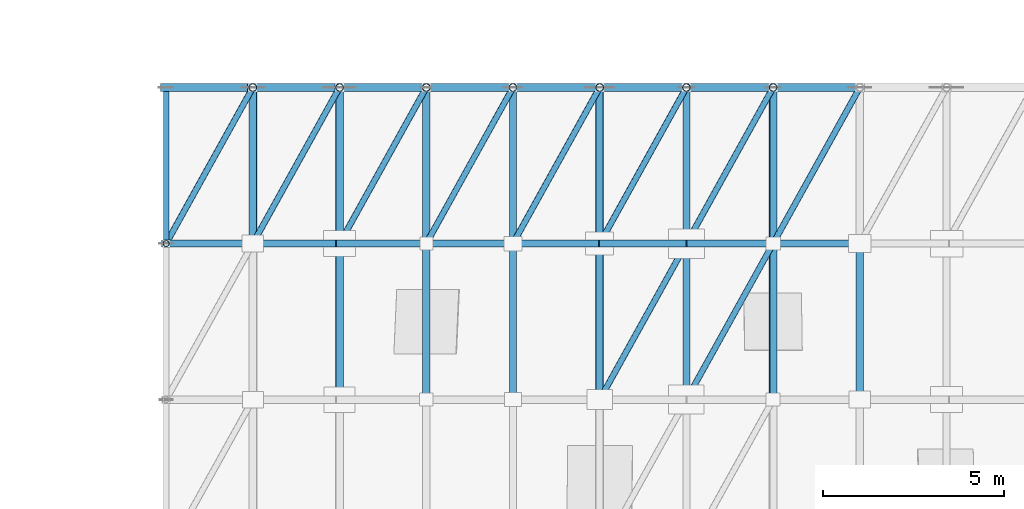
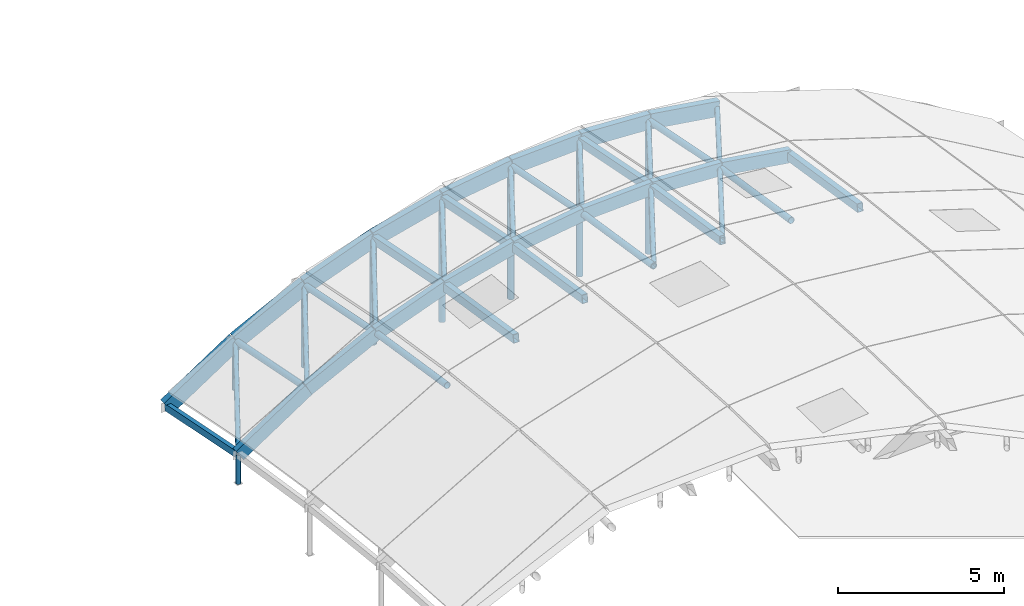
# One storey, part 18 of 35: 49 members.
"""IFC4 building model written with IfcOpenShell, lengths in metres."""

from ifc_helpers import new_model, si_unit, direction, frame, origin, origin_2d, place, context, subcontext, project, spatial, rectangle, hollow_rectangle, hollow_circle, extrude, material, material_profile, profile_set, type_object, element, save


model = new_model("IFC4")

# Units and contexts
model_context = context("Model", 3, precision=1e-05, world=origin(), true_north=direction((0.0, 1.0)))
body_context = subcontext(model_context, "Body", "Model", "MODEL_VIEW")
ifc_project = project(units=[si_unit("LENGTHUNIT", "METRE"), si_unit("AREAUNIT", "SQUARE_METRE"), si_unit("VOLUMEUNIT", "CUBIC_METRE"), si_unit("PLANEANGLEUNIT", "RADIAN"), si_unit("MASSUNIT", "GRAM", prefix="KILO")], contexts=[model_context])

# Site, building, storey
site_placement = place(None, origin())
site = spatial("IfcSite", under=ifc_project, at=site_placement, CompositionType="ELEMENT")
building_placement = place(site_placement, origin())
building = spatial("IfcBuilding", under=site, at=building_placement, Name="Zarrinpeak Specialist Clinic", CompositionType="ELEMENT")
storey_placement = place(building_placement, frame((0.0, 0.0, 31.60009765625)))
storey = spatial("IfcBuildingStorey", under=building, at=storey_placement, Name="RF", CompositionType="ELEMENT", Elevation=31.60009765625)

# Members
ifc_material_1 = material(Name="Steel S355", Category="steel")
ifc_material_profile_1 = material_profile(ifc_material_1, hollow_circle(Radius=0.084228515625, WallThickness=0.008056640625, at=origin_2d()), Name="CHS 168.3x8.0")
ifc_profile_set_1 = profile_set([ifc_material_profile_1], Name="Steel S355")
member_type_1 = type_object("IfcMemberType", Name="MB-BR168", PredefinedType="BRACE", material=ifc_profile_set_1)
member_1_placement = place(storey_placement, frame((93.60009765625, 67.679931640625, -16.736083984375), z_axis=(0.480538844038, 0.865018804197, 0.144308307996), x_axis=(-0.874168927292, 0.485621958479, 0.0)))
element("IfcMember", 1, at=member_1_placement, inside=storey, type_object=member_type_1, Name="V3 Gridshell Diagonal Brace GS-DIAG-010", PredefinedType="BRACE", context=body_context, shape_type="SweptSolid", body=[
    extrude(hollow_circle(Radius=0.084228515625, WallThickness=0.008056640625, at=origin_2d()), origin(), (0.0, 0.0, 1.0), 4.994140625),
])
member_2_placement = place(storey_placement, frame((96.0, 67.679931640625, -15.151611328125), z_axis=(0.484423074732, 0.872010814586, 0.070224097812), x_axis=(-0.874168927292, 0.485621958479, 0.0)))
element("IfcMember", 2, at=member_2_placement, inside=storey, type_object=member_type_1, Name="V3 Gridshell Diagonal Brace GS-DIAG-014", PredefinedType="BRACE", context=body_context, shape_type="SweptSolid", body=[
    extrude(hollow_circle(Radius=0.084228515625, WallThickness=0.008056640625, at=origin_2d()), origin(), (0.0, 0.0, 1.0), 4.9541015625),
])
member_3_placement = place(storey_placement, frame((98.39990234375, 67.679931640625, -13.939697265625), z_axis=(0.485648093946, 0.874127049371, 0.00691595292), x_axis=(-0.874147955046, 0.485659708735, 0.0)))
element("IfcMember", 3, at=member_3_placement, inside=storey, type_object=member_type_1, Name="V3 Gridshell Diagonal Brace GS-DIAG-018", PredefinedType="BRACE", context=body_context, shape_type="SweptSolid", body=[
    extrude(hollow_circle(Radius=0.084228515625, WallThickness=0.008056640625, at=origin_2d()), origin(), (0.0, 0.0, 1.0), 4.942138671875),
])
member_4_placement = place(storey_placement, frame((100.800048828125, 67.679931640625, -13.04150390625), z_axis=(0.485033983383, 0.873110512305, -0.049194189362), x_axis=(-0.874168927292, 0.485621958479, 0.0)))
element("IfcMember", 4, at=member_4_placement, inside=storey, type_object=member_type_1, Name="V3 Gridshell Diagonal Brace GS-DIAG-022", PredefinedType="BRACE", context=body_context, shape_type="SweptSolid", body=[
    extrude(hollow_circle(Radius=0.084228515625, WallThickness=0.008056640625, at=origin_2d()), origin(), (0.0, 0.0, 1.0), 4.947998046875),
])
member_5_placement = place(storey_placement, frame((103.199951171875, 67.679931640625, -12.4208984375), z_axis=(0.483197810944, 0.869716739361, -0.100561765964), x_axis=(-0.874147955046, 0.485659708735, 0.0)))
element("IfcMember", 5, at=member_5_placement, inside=storey, type_object=member_type_1, Name="V3 Gridshell Diagonal Brace GS-DIAG-026", PredefinedType="BRACE", context=body_context, shape_type="SweptSolid", body=[
    extrude(hollow_circle(Radius=0.084228515625, WallThickness=0.008056640625, at=origin_2d()), origin(), (0.0, 0.0, 1.0), 4.96728515625),
])
member_6_placement = place(storey_placement, frame((105.60009765625, 63.360107421875, -11.38427734375), z_axis=(0.482643813636, 0.868758864544, -0.110963887977), x_axis=(-0.874157276122, 0.485642931179, 0.0)))
element("IfcMember", 6, at=member_6_placement, inside=storey, type_object=member_type_1, Name="V3 Gridshell Diagonal Brace GS-DIAG-035", PredefinedType="BRACE", context=body_context, shape_type="SweptSolid", body=[
    extrude(hollow_circle(Radius=0.084228515625, WallThickness=0.008056640625, at=origin_2d()), origin(), (0.0, 0.0, 1.0), 4.972412109375),
])
member_7_placement = place(storey_placement, frame((105.60009765625, 67.679931640625, -12.056396484375), z_axis=(0.480215440931, 0.864436645704, -0.148803279051), x_axis=(-0.874168927292, 0.485621958479, 0.0)))
element("IfcMember", 7, at=member_7_placement, inside=storey, type_object=member_type_1, Name="V3 Gridshell Diagonal Brace GS-DIAG-036", PredefinedType="BRACE", context=body_context, shape_type="SweptSolid", body=[
    extrude(hollow_circle(Radius=0.084228515625, WallThickness=0.008056640625, at=origin_2d()), origin(), (0.0, 0.0, 1.0), 4.99755859375),
])
member_8_placement = place(storey_placement, frame((108.0, 63.360107421875, -11.26416015625), z_axis=(0.479519862366, 0.86313575226, -0.158295213975), x_axis=(-0.874157276122, 0.485642931179, 0.0)))
element("IfcMember", 8, at=member_8_placement, inside=storey, type_object=member_type_1, Name="V3 Gridshell Diagonal Brace GS-DIAG-045", PredefinedType="BRACE", context=body_context, shape_type="SweptSolid", body=[
    extrude(hollow_circle(Radius=0.084228515625, WallThickness=0.008056640625, at=origin_2d()), origin(), (0.0, 0.0, 1.0), 5.0048828125),
])
member_9_placement = place(storey_placement, frame((108.0, 67.679931640625, -11.93603515625), z_axis=(0.476265643705, 0.857326608887, -0.19535127929), x_axis=(-0.874168927292, 0.485621958479, 0.0)))
element("IfcMember", 9, at=member_9_placement, inside=storey, type_object=member_type_1, Name="V3 Gridshell Diagonal Brace GS-DIAG-046", PredefinedType="BRACE", context=body_context, shape_type="SweptSolid", body=[
    extrude(hollow_circle(Radius=0.084228515625, WallThickness=0.008056640625, at=origin_2d()), origin(), (0.0, 0.0, 1.0), 5.0390625),
])
member_10_placement = place(storey_placement, frame((110.39990234375, 67.679931640625, -12.056396484375), z_axis=(0.471315620501, 0.848329763479, -0.241243027399), x_axis=(-0.874147955046, 0.485659708735, 0.0)))
element("IfcMember", 10, at=member_10_placement, inside=storey, type_object=member_type_1, Name="V3 Gridshell Diagonal Brace GS-DIAG-050", PredefinedType="BRACE", context=body_context, shape_type="SweptSolid", body=[
    extrude(hollow_circle(Radius=0.084228515625, WallThickness=0.008056640625, at=origin_2d()), origin(), (0.0, 0.0, 1.0), 5.092529296875),
])
ifc_material_profile_2 = material_profile(ifc_material_1, hollow_circle(Radius=0.109619140625, WallThickness=0.010009765625, at=origin_2d()), Name="CHS 219.1x10.0")
ifc_profile_set_2 = profile_set([ifc_material_profile_2], Name="Steel S355")
member_type_2 = type_object("IfcMemberType", Name="MB-GS-CH219", PredefinedType="USERDEFINED", material=ifc_profile_set_2)
member_11_placement = place(storey_placement, frame((96.0, 67.679931640625, -15.151611328125), z_axis=(0.0, 0.980591331223, -0.19606284995), x_axis=(-1.0, 0.0, 0.0)))
element("IfcMember", 11, at=member_11_placement, inside=storey, type_object=member_type_2, Name="V3 Translational Gridshell Vault Steel Chord I01-J09", ObjectType="ARCH_SEGMENT", PredefinedType="USERDEFINED", context=body_context, shape_type="SweptSolid", body=[
    extrude(hollow_circle(Radius=0.109619140625, WallThickness=0.010009765625, at=origin_2d()), origin(), (0.0, 0.0, 1.0), 4.405517578125),
])
member_12_placement = place(storey_placement, frame((98.39990234375, 63.360107421875, -13.267578125), z_axis=(0.0, 0.988111379408, -0.153739721234), x_axis=(-1.0, 0.0, 0.0)))
element("IfcMember", 12, at=member_12_placement, inside=storey, type_object=member_type_2, Name="V3 Translational Gridshell Vault Steel Chord I02-J08", ObjectType="ARCH_SEGMENT", PredefinedType="USERDEFINED", context=body_context, shape_type="SweptSolid", body=[
    extrude(hollow_circle(Radius=0.109619140625, WallThickness=0.010009765625, at=origin_2d()), origin(), (0.0, 0.0, 1.0), 4.371826171875),
])
member_13_placement = place(storey_placement, frame((98.39990234375, 67.679931640625, -13.939697265625), z_axis=(0.0, 0.980580675691, -0.196116135138), x_axis=(-1.0, 0.0, 0.0)))
element("IfcMember", 13, at=member_13_placement, inside=storey, type_object=member_type_2, Name="V3 Translational Gridshell Vault Steel Chord I02-J09", ObjectType="ARCH_SEGMENT", PredefinedType="USERDEFINED", context=body_context, shape_type="SweptSolid", body=[
    extrude(hollow_circle(Radius=0.109619140625, WallThickness=0.010009765625, at=origin_2d()), origin(), (0.0, 0.0, 1.0), 4.405517578125),
])
member_14_placement = place(storey_placement, frame((105.60009765625, 63.360107421875, -11.38427734375), z_axis=(0.0, 0.988111379408, -0.153739721234), x_axis=(-1.0, 0.0, 0.0)))
element("IfcMember", 14, at=member_14_placement, inside=storey, type_object=member_type_2, Name="V3 Translational Gridshell Vault Steel Chord I05-J08", ObjectType="ARCH_SEGMENT", PredefinedType="USERDEFINED", context=body_context, shape_type="SweptSolid", body=[
    extrude(hollow_circle(Radius=0.109619140625, WallThickness=0.010009765625, at=origin_2d()), origin(), (0.0, 0.0, 1.0), 4.371826171875),
])
member_15_placement = place(storey_placement, frame((105.60009765625, 67.679931640625, -12.056396484375), z_axis=(0.0, 0.980580675691, -0.196116135138), x_axis=(-1.0, 0.0, 0.0)))
element("IfcMember", 15, at=member_15_placement, inside=storey, type_object=member_type_2, Name="V3 Translational Gridshell Vault Steel Chord I05-J09", ObjectType="ARCH_SEGMENT", PredefinedType="USERDEFINED", context=body_context, shape_type="SweptSolid", body=[
    extrude(hollow_circle(Radius=0.109619140625, WallThickness=0.010009765625, at=origin_2d()), origin(), (0.0, 0.0, 1.0), 4.405517578125),
])
member_16_placement = place(storey_placement, frame((110.39990234375, 63.360107421875, -11.38427734375), z_axis=(0.0, 0.988111379408, -0.153739721234), x_axis=(-1.0, 0.0, 0.0)))
element("IfcMember", 16, at=member_16_placement, inside=storey, type_object=member_type_2, Name="V3 Translational Gridshell Vault Steel Chord I07-J08", ObjectType="ARCH_SEGMENT", PredefinedType="USERDEFINED", context=body_context, shape_type="SweptSolid", body=[
    extrude(hollow_circle(Radius=0.109619140625, WallThickness=0.010009765625, at=origin_2d()), origin(), (0.0, 0.0, 1.0), 4.371826171875),
])
member_17_placement = place(storey_placement, frame((110.39990234375, 67.679931640625, -12.056396484375), z_axis=(0.0, 0.980580675691, -0.196116135138), x_axis=(-1.0, 0.0, 0.0)))
element("IfcMember", 17, at=member_17_placement, inside=storey, type_object=member_type_2, Name="V3 Translational Gridshell Vault Steel Chord I07-J09", ObjectType="ARCH_SEGMENT", PredefinedType="USERDEFINED", context=body_context, shape_type="SweptSolid", body=[
    extrude(hollow_circle(Radius=0.109619140625, WallThickness=0.010009765625, at=origin_2d()), origin(), (0.0, 0.0, 1.0), 4.405517578125),
])
ifc_material_2 = material(Name="Glulam GL28h", Category="wood")
ifc_material_profile_3 = material_profile(ifc_material_2, rectangle(XDim=0.199951171875, YDim=0.47998046875, at=origin_2d()), Name="GL28h 200x480")
ifc_profile_set_3 = profile_set([ifc_material_profile_3], Name="Glulam GL28h")
member_type_3 = type_object("IfcMemberType", Name="MB-GS-GL480", PredefinedType="USERDEFINED", material=ifc_profile_set_3)
member_18_placement = place(storey_placement, frame((93.60009765625, 67.679931640625, -16.736083984375), z_axis=(0.834523531014, 0.0, 0.550972300741), x_axis=(0.0, 1.0, 0.0)))
element("IfcMember", 18, at=member_18_placement, inside=storey, type_object=member_type_3, Name="V3 Translational Gridshell Vault Glulam Arch Rib J09-00", ObjectType="ARCH_SEGMENT", PredefinedType="USERDEFINED", context=body_context, shape_type="SweptSolid", body=[
    extrude(rectangle(XDim=0.199951171875, YDim=0.47998046875, at=origin_2d()), origin(), (0.0, 0.0, 1.0), 2.875732421875),
])
member_19_placement = place(storey_placement, frame((96.0, 67.679931640625, -15.151611328125), z_axis=(0.892640275465, 0.0, 0.450769717946), x_axis=(0.0, 1.0, 0.0)))
element("IfcMember", 19, at=member_19_placement, inside=storey, type_object=member_type_3, Name="V3 Translational Gridshell Vault Glulam Arch Rib J09-01", ObjectType="ARCH_SEGMENT", PredefinedType="USERDEFINED", context=body_context, shape_type="SweptSolid", body=[
    extrude(rectangle(XDim=0.199951171875, YDim=0.47998046875, at=origin_2d()), origin(), (0.0, 0.0, 1.0), 2.6884765625),
])
member_20_placement = place(storey_placement, frame((98.39990234375, 67.679931640625, -13.939697265625), z_axis=(0.936567780468, 0.0, 0.350486508427), x_axis=(0.0, 1.0, 0.0)))
element("IfcMember", 20, at=member_20_placement, inside=storey, type_object=member_type_3, Name="V3 Translational Gridshell Vault Glulam Arch Rib J09-02", ObjectType="ARCH_SEGMENT", PredefinedType="USERDEFINED", context=body_context, shape_type="SweptSolid", body=[
    extrude(rectangle(XDim=0.199951171875, YDim=0.47998046875, at=origin_2d()), origin(), (0.0, 0.0, 1.0), 2.562744140625),
])
member_21_placement = place(storey_placement, frame((100.800048828125, 67.679931640625, -13.04150390625), z_axis=(0.96815267419, 0.0, 0.250360538941), x_axis=(0.0, 1.0, 0.0)))
element("IfcMember", 21, at=member_21_placement, inside=storey, type_object=member_type_3, Name="V3 Translational Gridshell Vault Glulam Arch Rib J09-03", ObjectType="ARCH_SEGMENT", PredefinedType="USERDEFINED", context=body_context, shape_type="SweptSolid", body=[
    extrude(rectangle(XDim=0.199951171875, YDim=0.47998046875, at=origin_2d()), origin(), (0.0, 0.0, 1.0), 2.478759765625),
])
member_22_placement = place(storey_placement, frame((103.199951171875, 67.679931640625, -12.4208984375), z_axis=(0.988663989346, 0.0, 0.150144983836), x_axis=(0.0, 1.0, 0.0)))
element("IfcMember", 22, at=member_22_placement, inside=storey, type_object=member_type_3, Name="V3 Translational Gridshell Vault Glulam Arch Rib J09-04", ObjectType="ARCH_SEGMENT", PredefinedType="USERDEFINED", context=body_context, shape_type="SweptSolid", body=[
    extrude(rectangle(XDim=0.199951171875, YDim=0.47998046875, at=origin_2d()), origin(), (0.0, 0.0, 1.0), 2.427734375),
])
for number, where, z_axis, x_axis, name in (
    (23, (105.60009765625, 67.679931640625, -12.056396484375), (0.998744726183, 0.0, 0.050089638861), (0.0, 1.0, 0.0), "V3 Translational Gridshell Vault Glulam Arch Rib J09-05"),
    (24, (108.0, 67.679931640625, -11.93603515625), (0.998744726183, 0.0, -0.050089638861), (0.0, 1.0, 0.0), "V3 Translational Gridshell Vault Glulam Arch Rib J09-06"),
):
    element("IfcMember", number, at=place(storey_placement, frame(where, z_axis=z_axis, x_axis=x_axis)), inside=storey, type_object=member_type_3, Name=name, ObjectType="ARCH_SEGMENT", PredefinedType="USERDEFINED", context=body_context, shape_type="SweptSolid", body=[
        extrude(rectangle(XDim=0.199951171875, YDim=0.47998046875, at=origin_2d()), origin(), (0.0, 0.0, 1.0), 2.40283203125),
    ])
member_23_placement = place(storey_placement, frame((110.39990234375, 67.679931640625, -12.056396484375), z_axis=(0.988663989346, 0.0, -0.150144983836), x_axis=(0.0, 1.0, 0.0)))
element("IfcMember", 25, at=member_23_placement, inside=storey, type_object=member_type_3, Name="V3 Translational Gridshell Vault Glulam Arch Rib J09-07", ObjectType="ARCH_SEGMENT", PredefinedType="USERDEFINED", context=body_context, shape_type="SweptSolid", body=[
    extrude(rectangle(XDim=0.199951171875, YDim=0.47998046875, at=origin_2d()), origin(), (0.0, 0.0, 1.0), 2.427734375),
])
ifc_material_profile_4 = material_profile(ifc_material_2, rectangle(XDim=0.219970703125, YDim=0.56005859375, at=origin_2d()), Name="GL28h 220x560")
ifc_profile_set_4 = profile_set([ifc_material_profile_4], Name="Glulam GL28h")
member_type_4 = type_object("IfcMemberType", Name="MB-GS-GL560", PredefinedType="USERDEFINED", material=ifc_profile_set_4)
member_24_placement = place(storey_placement, frame((93.60009765625, 72.0, -17.60009765625), z_axis=(0.834484495814, 0.0, 0.55103142038), x_axis=(0.0, 1.0, 0.0)))
element("IfcMember", 26, at=member_24_placement, inside=storey, type_object=member_type_4, Name="V3 Translational Gridshell Vault Glulam Arch Rib J10-00", ObjectType="ARCH_SEGMENT", PredefinedType="USERDEFINED", context=body_context, shape_type="SweptSolid", body=[
    extrude(rectangle(XDim=0.219970703125, YDim=0.56005859375, at=origin_2d()), origin(), (0.0, 0.0, 1.0), 2.8759765625),
])
member_25_placement = place(storey_placement, frame((96.0, 72.0, -16.015380859375), z_axis=(0.892676812819, 0.0, 0.450697357276), x_axis=(0.0, 1.0, 0.0)))
element("IfcMember", 27, at=member_25_placement, inside=storey, type_object=member_type_4, Name="V3 Translational Gridshell Vault Glulam Arch Rib J10-01", ObjectType="ARCH_SEGMENT", PredefinedType="USERDEFINED", context=body_context, shape_type="SweptSolid", body=[
    extrude(rectangle(XDim=0.219970703125, YDim=0.56005859375, at=origin_2d()), origin(), (0.0, 0.0, 1.0), 2.6884765625),
])
member_26_placement = place(storey_placement, frame((98.39990234375, 72.0, -14.8037109375), z_axis=(0.936567780468, 0.0, 0.350486508427), x_axis=(0.0, 1.0, 0.0)))
element("IfcMember", 28, at=member_26_placement, inside=storey, type_object=member_type_4, Name="V3 Translational Gridshell Vault Glulam Arch Rib J10-02", ObjectType="ARCH_SEGMENT", PredefinedType="USERDEFINED", context=body_context, shape_type="SweptSolid", body=[
    extrude(rectangle(XDim=0.219970703125, YDim=0.56005859375, at=origin_2d()), origin(), (0.0, 0.0, 1.0), 2.562744140625),
])
member_27_placement = place(storey_placement, frame((100.800048828125, 72.0, -13.905517578125), z_axis=(0.96815267419, 0.0, 0.250360538941), x_axis=(0.0, 1.0, 0.0)))
element("IfcMember", 29, at=member_27_placement, inside=storey, type_object=member_type_4, Name="V3 Translational Gridshell Vault Glulam Arch Rib J10-03", ObjectType="ARCH_SEGMENT", PredefinedType="USERDEFINED", context=body_context, shape_type="SweptSolid", body=[
    extrude(rectangle(XDim=0.219970703125, YDim=0.56005859375, at=origin_2d()), origin(), (0.0, 0.0, 1.0), 2.478759765625),
])
member_28_placement = place(storey_placement, frame((103.199951171875, 72.0, -13.284912109375), z_axis=(0.988663989346, 0.0, 0.150144983836), x_axis=(0.0, 1.0, 0.0)))
element("IfcMember", 30, at=member_28_placement, inside=storey, type_object=member_type_4, Name="V3 Translational Gridshell Vault Glulam Arch Rib J10-04", ObjectType="ARCH_SEGMENT", PredefinedType="USERDEFINED", context=body_context, shape_type="SweptSolid", body=[
    extrude(rectangle(XDim=0.219970703125, YDim=0.56005859375, at=origin_2d()), origin(), (0.0, 0.0, 1.0), 2.427734375),
])
for number, where, z_axis, x_axis, name in (
    (31, (105.60009765625, 72.0, -12.92041015625), (0.998744726183, 0.0, 0.050089638861), (0.0, 1.0, 0.0), "V3 Translational Gridshell Vault Glulam Arch Rib J10-05"),
    (32, (108.0, 72.0, -12.800048828125), (0.998744726183, 0.0, -0.050089638861), (0.0, 1.0, 0.0), "V3 Translational Gridshell Vault Glulam Arch Rib J10-06"),
):
    element("IfcMember", number, at=place(storey_placement, frame(where, z_axis=z_axis, x_axis=x_axis)), inside=storey, type_object=member_type_4, Name=name, ObjectType="ARCH_SEGMENT", PredefinedType="USERDEFINED", context=body_context, shape_type="SweptSolid", body=[
        extrude(rectangle(XDim=0.219970703125, YDim=0.56005859375, at=origin_2d()), origin(), (0.0, 0.0, 1.0), 2.40283203125),
    ])
member_29_placement = place(storey_placement, frame((110.39990234375, 72.0, -12.92041015625), z_axis=(0.988663989346, 0.0, -0.150144983836), x_axis=(0.0, 1.0, 0.0)))
element("IfcMember", 33, at=member_29_placement, inside=storey, type_object=member_type_4, Name="V3 Translational Gridshell Vault Glulam Arch Rib J10-07", ObjectType="ARCH_SEGMENT", PredefinedType="USERDEFINED", context=body_context, shape_type="SweptSolid", body=[
    extrude(rectangle(XDim=0.219970703125, YDim=0.56005859375, at=origin_2d()), origin(), (0.0, 0.0, 1.0), 2.427734375),
])
ifc_material_profile_5 = material_profile(ifc_material_1, hollow_rectangle(XDim=0.14990234375, YDim=0.25, WallThickness=0.010009765625, at=origin_2d()), Name="RHS 250x150x10.0")
ifc_profile_set_5 = profile_set([ifc_material_profile_5], Name="Steel S355")
member_type_5 = type_object("IfcMemberType", Name="MB-GS-RH250", PredefinedType="USERDEFINED", material=ifc_profile_set_5)
member_30_placement = place(storey_placement, frame((93.60009765625, 67.679931640625, -16.736083984375), z_axis=(0.0, 0.980580675691, -0.196116135138), x_axis=(-1.0, 0.0, 0.0)))
element("IfcMember", 34, at=member_30_placement, inside=storey, type_object=member_type_5, Name="V3 Translational Gridshell Vault Steel Chord I00-J09", ObjectType="ARCH_SEGMENT", PredefinedType="USERDEFINED", context=body_context, shape_type="SweptSolid", body=[
    extrude(hollow_rectangle(XDim=0.14990234375, YDim=0.25, WallThickness=0.010009765625, at=origin_2d()), origin(), (0.0, 0.0, 1.0), 4.405517578125),
])
ifc_material_profile_6 = material_profile(ifc_material_1, hollow_rectangle(XDim=0.199951171875, YDim=0.300048828125, WallThickness=0.012451171875, at=origin_2d()), Name="RHS 300x200x12.5")
ifc_profile_set_6 = profile_set([ifc_material_profile_6], Name="Steel S355")
member_type_6 = type_object("IfcMemberType", Name="MB-GS-RH300", PredefinedType="USERDEFINED", material=ifc_profile_set_6)
member_31_placement = place(storey_placement, frame((100.800048828125, 63.360107421875, -12.36962890625), z_axis=(0.0, 0.988119861414, -0.153685196033), x_axis=(-1.0, 0.0, 0.0)))
element("IfcMember", 35, at=member_31_placement, inside=storey, type_object=member_type_6, Name="V3 Translational Gridshell Vault Steel Chord I03-J08", ObjectType="ARCH_SEGMENT", PredefinedType="USERDEFINED", context=body_context, shape_type="SweptSolid", body=[
    extrude(hollow_rectangle(XDim=0.199951171875, YDim=0.300048828125, WallThickness=0.012451171875, at=origin_2d()), origin(), (0.0, 0.0, 1.0), 4.371826171875),
])
member_32_placement = place(storey_placement, frame((100.800048828125, 67.679931640625, -13.04150390625), z_axis=(0.0, 0.980580675691, -0.196116135138), x_axis=(-1.0, 0.0, 0.0)))
element("IfcMember", 36, at=member_32_placement, inside=storey, type_object=member_type_6, Name="V3 Translational Gridshell Vault Steel Chord I03-J09", ObjectType="ARCH_SEGMENT", PredefinedType="USERDEFINED", context=body_context, shape_type="SweptSolid", body=[
    extrude(hollow_rectangle(XDim=0.199951171875, YDim=0.300048828125, WallThickness=0.012451171875, at=origin_2d()), origin(), (0.0, 0.0, 1.0), 4.405517578125),
])
member_33_placement = place(storey_placement, frame((103.199951171875, 63.360107421875, -11.7490234375), z_axis=(0.0, 0.988119861414, -0.153685196033), x_axis=(-1.0, 0.0, 0.0)))
element("IfcMember", 37, at=member_33_placement, inside=storey, type_object=member_type_6, Name="V3 Translational Gridshell Vault Steel Chord I04-J08", ObjectType="ARCH_SEGMENT", PredefinedType="USERDEFINED", context=body_context, shape_type="SweptSolid", body=[
    extrude(hollow_rectangle(XDim=0.199951171875, YDim=0.300048828125, WallThickness=0.012451171875, at=origin_2d()), origin(), (0.0, 0.0, 1.0), 4.371826171875),
])
member_34_placement = place(storey_placement, frame((103.199951171875, 67.679931640625, -12.4208984375), z_axis=(0.0, 0.980580675691, -0.196116135138), x_axis=(-1.0, 0.0, 0.0)))
element("IfcMember", 38, at=member_34_placement, inside=storey, type_object=member_type_6, Name="V3 Translational Gridshell Vault Steel Chord I04-J09", ObjectType="ARCH_SEGMENT", PredefinedType="USERDEFINED", context=body_context, shape_type="SweptSolid", body=[
    extrude(hollow_rectangle(XDim=0.199951171875, YDim=0.300048828125, WallThickness=0.012451171875, at=origin_2d()), origin(), (0.0, 0.0, 1.0), 4.405517578125),
])
member_35_placement = place(storey_placement, frame((108.0, 63.360107421875, -11.26416015625), z_axis=(0.0, 0.988119861414, -0.153685196033), x_axis=(-1.0, 0.0, 0.0)))
element("IfcMember", 39, at=member_35_placement, inside=storey, type_object=member_type_6, Name="V3 Translational Gridshell Vault Steel Chord I06-J08", ObjectType="ARCH_SEGMENT", PredefinedType="USERDEFINED", context=body_context, shape_type="SweptSolid", body=[
    extrude(hollow_rectangle(XDim=0.199951171875, YDim=0.300048828125, WallThickness=0.012451171875, at=origin_2d()), origin(), (0.0, 0.0, 1.0), 4.371826171875),
])
member_36_placement = place(storey_placement, frame((108.0, 67.679931640625, -11.93603515625), z_axis=(0.0, 0.980580675691, -0.196116135138), x_axis=(-1.0, 0.0, 0.0)))
element("IfcMember", 40, at=member_36_placement, inside=storey, type_object=member_type_6, Name="V3 Translational Gridshell Vault Steel Chord I06-J09", ObjectType="ARCH_SEGMENT", PredefinedType="USERDEFINED", context=body_context, shape_type="SweptSolid", body=[
    extrude(hollow_rectangle(XDim=0.199951171875, YDim=0.300048828125, WallThickness=0.012451171875, at=origin_2d()), origin(), (0.0, 0.0, 1.0), 4.405517578125),
])
member_37_placement = place(storey_placement, frame((112.800048828125, 63.360107421875, -11.7490234375), z_axis=(0.0, 0.988119861414, -0.153685196033), x_axis=(-1.0, 0.0, 0.0)))
element("IfcMember", 41, at=member_37_placement, inside=storey, type_object=member_type_6, Name="V3 Translational Gridshell Vault Steel Chord I08-J08", ObjectType="ARCH_SEGMENT", PredefinedType="USERDEFINED", context=body_context, shape_type="SweptSolid", body=[
    extrude(hollow_rectangle(XDim=0.199951171875, YDim=0.300048828125, WallThickness=0.012451171875, at=origin_2d()), origin(), (0.0, 0.0, 1.0), 4.371826171875),
])
ifc_material_profile_7 = material_profile(ifc_material_1, hollow_circle(Radius=0.084228515625, WallThickness=0.008056640625, at=origin_2d()), Name="CHS 168.3x8.0")
ifc_profile_set_7 = profile_set([ifc_material_profile_7], Name="Steel S355")
member_type_7 = type_object("IfcMemberType", Name="MB-PST168", PredefinedType="BRACE", material=ifc_profile_set_7)
member_38_placement = place(storey_placement, frame((93.60009765625, 67.679931640625, -17.800048828125), z_axis=(0.0, 0.0, 1.0), x_axis=(1.0, 0.0, 0.0)))
element("IfcMember", 42, at=member_38_placement, inside=storey, type_object=member_type_7, Name="V3 Gridshell Edge Arch Post 0-9", PredefinedType="BRACE", context=body_context, shape_type="SweptSolid", body=[
    extrude(hollow_circle(Radius=0.084228515625, WallThickness=0.008056640625, at=origin_2d()), origin(), (0.0, 0.0, 1.0), 1.06396484375),
])
ifc_material_profile_8 = material_profile(ifc_material_1, hollow_circle(Radius=0.109619140625, WallThickness=0.010009765625, at=origin_2d()), Name="CHS 219.1x10.0")
ifc_profile_set_8 = profile_set([ifc_material_profile_8], Name="Steel S355")
member_type_8 = type_object("IfcMemberType", Name="MB-PST219", PredefinedType="BRACE", material=ifc_profile_set_8)
member_39_placement = place(storey_placement, frame((96.0, 72.0, -17.800048828125), z_axis=(0.0, 0.0, 1.0), x_axis=(1.0, 0.0, 0.0)))
element("IfcMember", 43, at=member_39_placement, inside=storey, type_object=member_type_8, Name="V3 Gridshell Gable Arch Mullion Post 10-1", PredefinedType="BRACE", context=body_context, shape_type="SweptSolid", body=[
    extrude(hollow_circle(Radius=0.109619140625, WallThickness=0.010009765625, at=origin_2d()), origin(), (0.0, 0.0, 1.0), 1.78466796875),
])
member_40_placement = place(storey_placement, frame((98.39990234375, 72.0, -17.800048828125), z_axis=(0.0, 0.0, 1.0), x_axis=(1.0, 0.0, 0.0)))
element("IfcMember", 44, at=member_40_placement, inside=storey, type_object=member_type_8, Name="V3 Gridshell Gable Arch Mullion Post 10-2", PredefinedType="BRACE", context=body_context, shape_type="SweptSolid", body=[
    extrude(hollow_circle(Radius=0.109619140625, WallThickness=0.010009765625, at=origin_2d()), origin(), (0.0, 0.0, 1.0), 2.996337890625),
])
member_41_placement = place(storey_placement, frame((100.800048828125, 72.0, -17.800048828125), z_axis=(0.0, 0.0, 1.0), x_axis=(1.0, 0.0, 0.0)))
element("IfcMember", 45, at=member_41_placement, inside=storey, type_object=member_type_8, Name="V3 Gridshell Gable Arch Mullion Post 10-3", PredefinedType="BRACE", context=body_context, shape_type="SweptSolid", body=[
    extrude(hollow_circle(Radius=0.109619140625, WallThickness=0.010009765625, at=origin_2d()), origin(), (0.0, 0.0, 1.0), 3.89453125),
])
member_42_placement = place(storey_placement, frame((103.199951171875, 72.0, -17.800048828125), z_axis=(0.0, 0.0, 1.0), x_axis=(1.0, 0.0, 0.0)))
element("IfcMember", 46, at=member_42_placement, inside=storey, type_object=member_type_8, Name="V3 Gridshell Gable Arch Mullion Post 10-4", PredefinedType="BRACE", context=body_context, shape_type="SweptSolid", body=[
    extrude(hollow_circle(Radius=0.109619140625, WallThickness=0.010009765625, at=origin_2d()), origin(), (0.0, 0.0, 1.0), 4.51513671875),
])
member_43_placement = place(storey_placement, frame((105.60009765625, 72.0, -17.800048828125), z_axis=(0.0, 0.0, 1.0), x_axis=(1.0, 0.0, 0.0)))
element("IfcMember", 47, at=member_43_placement, inside=storey, type_object=member_type_8, Name="V3 Gridshell Gable Arch Mullion Post 10-5", PredefinedType="BRACE", context=body_context, shape_type="SweptSolid", body=[
    extrude(hollow_circle(Radius=0.109619140625, WallThickness=0.010009765625, at=origin_2d()), origin(), (0.0, 0.0, 1.0), 4.879638671875),
])
member_44_placement = place(storey_placement, frame((108.0, 72.0, -17.800048828125), z_axis=(0.0, 0.0, 1.0), x_axis=(1.0, 0.0, 0.0)))
element("IfcMember", 48, at=member_44_placement, inside=storey, type_object=member_type_8, Name="V3 Gridshell Gable Arch Mullion Post 10-6", PredefinedType="BRACE", context=body_context, shape_type="SweptSolid", body=[
    extrude(hollow_circle(Radius=0.109619140625, WallThickness=0.010009765625, at=origin_2d()), origin(), (0.0, 0.0, 1.0), 5.0),
])
member_45_placement = place(storey_placement, frame((110.39990234375, 72.0, -17.800048828125), z_axis=(0.0, 0.0, 1.0), x_axis=(1.0, 0.0, 0.0)))
element("IfcMember", 49, at=member_45_placement, inside=storey, type_object=member_type_8, Name="V3 Gridshell Gable Arch Mullion Post 10-7", PredefinedType="BRACE", context=body_context, shape_type="SweptSolid", body=[
    extrude(hollow_circle(Radius=0.109619140625, WallThickness=0.010009765625, at=origin_2d()), origin(), (0.0, 0.0, 1.0), 4.879638671875),
])

save(model, "model.ifc")
